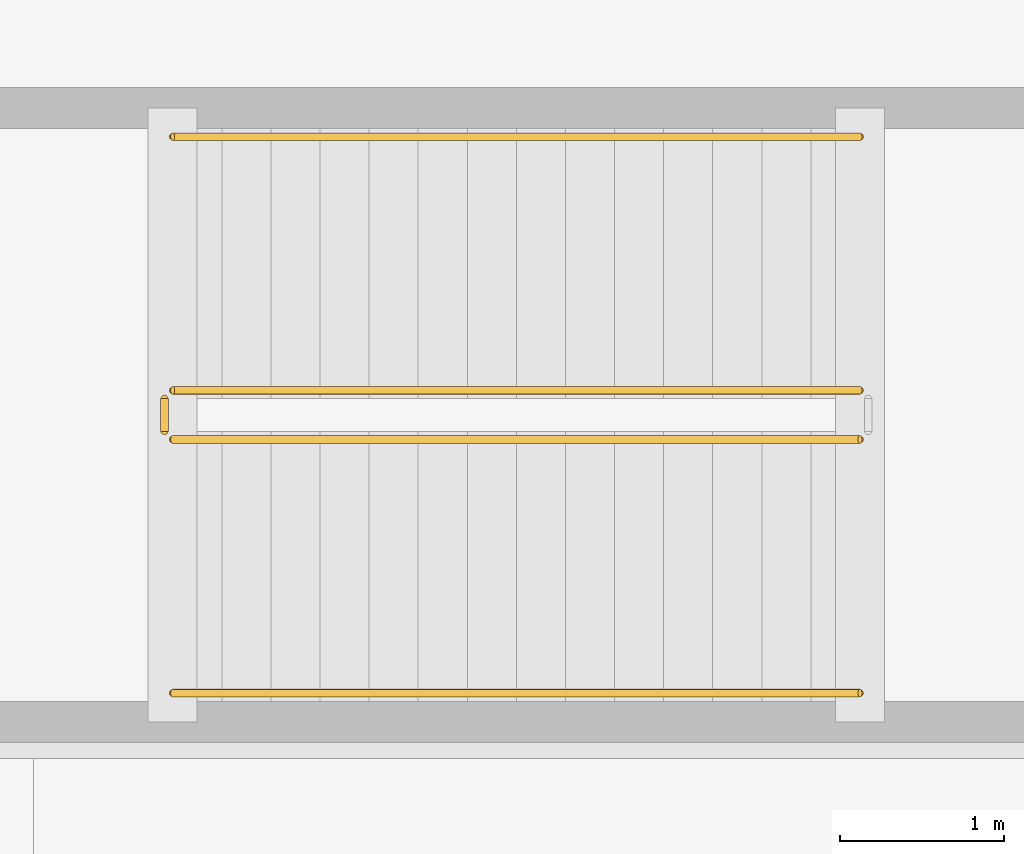
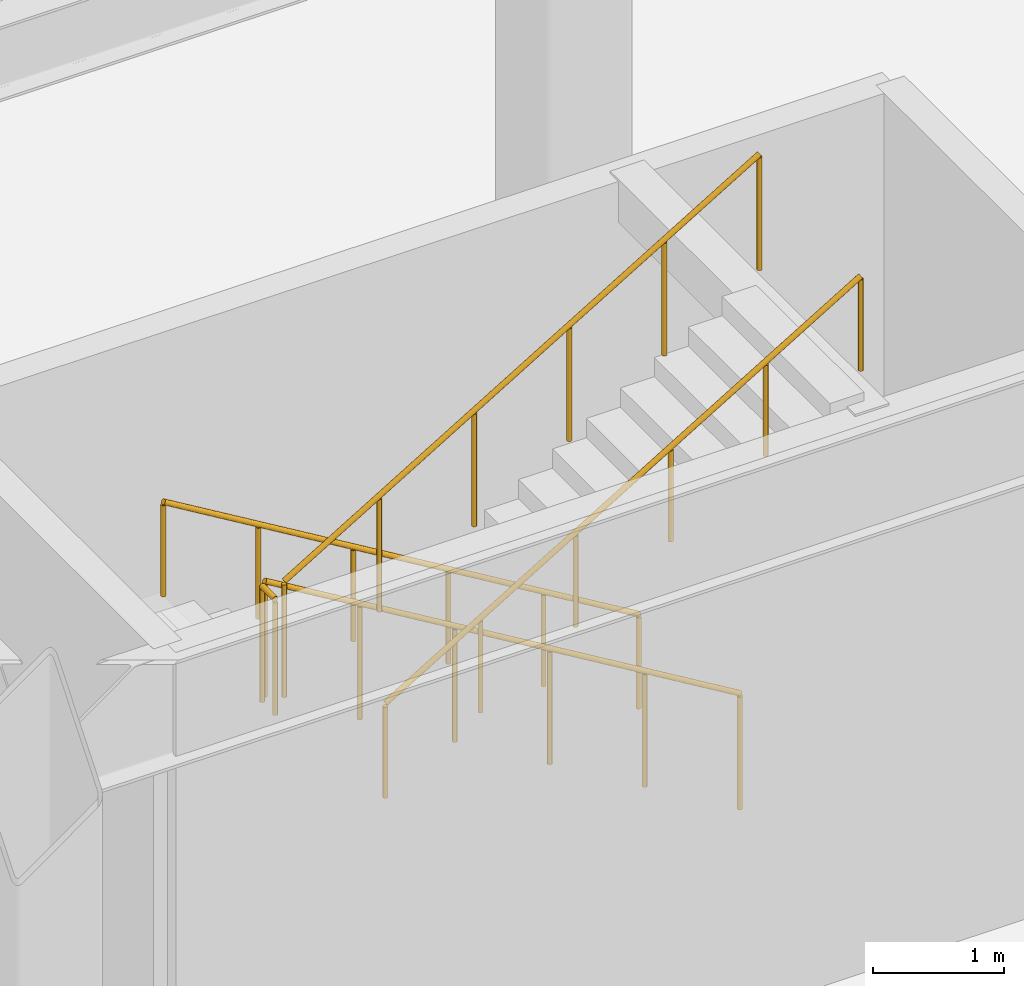
# One storey, part 43 of 55: 5 railings.
"""IFC4 building model written with IfcOpenShell, lengths in metres."""

from ifc_helpers import new_model, si_unit, direction, frame, origin, origin_2d, place, context, subcontext, project, spatial, circle, extrude, material, type_object, element, save


model = new_model("IFC4")

# Units and contexts
model_context = context("Model", 3, precision=1e-05, world=origin(), true_north=direction((0.0, 1.0)))
body_context = subcontext(model_context, "Body", "Model", "MODEL_VIEW")
ifc_project = project(units=[si_unit("LENGTHUNIT", "METRE"), si_unit("AREAUNIT", "SQUARE_METRE"), si_unit("VOLUMEUNIT", "CUBIC_METRE"), si_unit("PLANEANGLEUNIT", "RADIAN"), si_unit("MASSUNIT", "GRAM", prefix="KILO")], contexts=[model_context])

# Site, building, storey
site_placement = place(None, origin())
site = spatial("IfcSite", under=ifc_project, at=site_placement, CompositionType="ELEMENT")
building_placement = place(site_placement, origin())
building = spatial("IfcBuilding", under=site, at=building_placement, Name="Kazehara Bluff Congress Hotel", CompositionType="ELEMENT")
storey_placement = place(building_placement, frame((0.0, 0.0, -5.39990234375)))
storey = spatial("IfcBuildingStorey", under=building, at=storey_placement, Name="B1", CompositionType="ELEMENT", Elevation=-5.39990234375)

# Railings
ifc_material_1 = material(Name="Brushed stainless steel", Category="steel")
railing_type_1 = type_object("IfcRailingType", Name="TP-GRD-INT", PredefinedType="GUARDRAIL", material=ifc_material_1)
railing_1_placement = place(storey_placement, frame((65.800048828125, 18.10009765625, 0.179931640625)))
element("IfcRailing", 1, at=railing_1_placement, inside=storey, type_object=railing_type_1, Name="B1 ST-08 stair guard 1", PredefinedType="GUARDRAIL", context=body_context, shape_type="SweptSolid", body=[
    extrude(circle(Radius=0.02392578125, at=origin_2d()), frame((0.0, 0.0, 1.076171875), z_axis=(-0.857488527567, 0.0, 0.514503085598), x_axis=(0.0, -1.0, 0.0)), (0.0, 0.0, 1.0), 4.89794921875),
    extrude(circle(Radius=0.02099609375, at=origin_2d()), origin(), (0.0, 0.0, 1.0), 1.052001953125),
    extrude(circle(Radius=0.02099609375, at=origin_2d()), frame((-0.840087890625, 0.0, 0.50390625)), (0.0, 0.0, 1.0), 1.052001953125),
    extrude(circle(Radius=0.02099609375, at=origin_2d()), frame((-1.679931640625, 0.0, 1.008056640625)), (0.0, 0.0, 1.0), 1.052001953125),
    extrude(circle(Radius=0.02099609375, at=origin_2d()), frame((-2.52001953125, 0.0, 1.511962890625)), (0.0, 0.0, 1.0), 1.052001953125),
    extrude(circle(Radius=0.02099609375, at=origin_2d()), frame((-3.35986328125, 0.0, 2.01611328125)), (0.0, 0.0, 1.0), 1.052001953125),
    extrude(circle(Radius=0.02099609375, at=origin_2d()), frame((-4.199951171875, 0.0, 2.52001953125)), (0.0, 0.0, 1.0), 1.052001953125),
])
railing_2_placement = place(storey_placement, frame((61.550048828125, 18.050048828125, 2.699951171875)))
element("IfcRailing", 2, at=railing_2_placement, inside=storey, type_object=railing_type_1, Name="B1 ST-08 stair guard 2", PredefinedType="GUARDRAIL", context=body_context, shape_type="SweptSolid", body=[
    extrude(circle(Radius=0.02392578125, at=origin_2d()), frame((0.0, 0.0, 1.076171875), z_axis=(0.0, -1.0, 0.0), x_axis=(1.0, 0.0, 0.0)), (0.0, 0.0, 1.0), 0.199951171875),
    extrude(circle(Radius=0.02099609375, at=origin_2d()), origin(), (0.0, 0.0, 1.0), 1.052001953125),
    extrude(circle(Radius=0.02099609375, at=origin_2d()), frame((0.0, -0.199951171875, 0.0)), (0.0, 0.0, 1.0), 1.052001953125),
])
railing_3_placement = place(storey_placement, frame((61.60009765625, 17.800048828125, 2.8798828125)))
element("IfcRailing", 3, at=railing_3_placement, inside=storey, type_object=railing_type_1, Name="B1 ST-08 stair guard 3", PredefinedType="GUARDRAIL", context=body_context, shape_type="SweptSolid", body=[
    extrude(circle(Radius=0.02392578125, at=origin_2d()), frame((0.0, 0.0, 1.076171875), z_axis=(0.857488527567, 0.0, 0.514503085598), x_axis=(0.0, 1.0, 0.0)), (0.0, 0.0, 1.0), 4.89794921875),
    extrude(circle(Radius=0.02099609375, at=origin_2d()), origin(), (0.0, 0.0, 1.0), 1.052001953125),
    extrude(circle(Radius=0.02099609375, at=origin_2d()), frame((0.840087890625, 0.0, 0.50390625)), (0.0, 0.0, 1.0), 1.052001953125),
    extrude(circle(Radius=0.02099609375, at=origin_2d()), frame((1.679931640625, 0.0, 1.008056640625)), (0.0, 0.0, 1.0), 1.052001953125),
    extrude(circle(Radius=0.02099609375, at=origin_2d()), frame((2.52001953125, 0.0, 1.511962890625)), (0.0, 0.0, 1.0), 1.052001953125),
    extrude(circle(Radius=0.02099609375, at=origin_2d()), frame((3.35986328125, 0.0, 2.01611328125)), (0.0, 0.0, 1.0), 1.052001953125),
    extrude(circle(Radius=0.02099609375, at=origin_2d()), frame((4.199951171875, 0.0, 2.52001953125)), (0.0, 0.0, 1.0), 1.052001953125),
])
ifc_material_2 = material(Name="Brushed stainless steel", Category="steel")
railing_type_2 = type_object("IfcRailingType", Name="TP-HR-INT", PredefinedType="HANDRAIL", material=ifc_material_2)
railing_4_placement = place(storey_placement, frame((65.800048828125, 19.64990234375, 0.179931640625)))
element("IfcRailing", 4, at=railing_4_placement, inside=storey, type_object=railing_type_2, Name="B1 ST-08 stair handrail 1", PredefinedType="HANDRAIL", context=body_context, shape_type="SweptSolid", body=[
    extrude(circle(Radius=0.02392578125, at=origin_2d()), frame((0.0, 0.0, 0.8759765625), z_axis=(-0.857488527567, 0.0, 0.514503085598), x_axis=(0.0, -1.0, 0.0)), (0.0, 0.0, 1.0), 4.89794921875),
    extrude(circle(Radius=0.02099609375, at=origin_2d()), origin(), (0.0, 0.0, 1.0), 0.851806640625),
    extrude(circle(Radius=0.02099609375, at=origin_2d()), frame((-0.840087890625, 0.0, 0.50390625)), (0.0, 0.0, 1.0), 0.851806640625),
    extrude(circle(Radius=0.02099609375, at=origin_2d()), frame((-1.679931640625, 0.0, 1.008056640625)), (0.0, 0.0, 1.0), 0.851806640625),
    extrude(circle(Radius=0.02099609375, at=origin_2d()), frame((-2.52001953125, 0.0, 1.511962890625)), (0.0, 0.0, 1.0), 0.851806640625),
    extrude(circle(Radius=0.02099609375, at=origin_2d()), frame((-3.35986328125, 0.0, 2.01611328125)), (0.0, 0.0, 1.0), 0.851806640625),
    extrude(circle(Radius=0.02099609375, at=origin_2d()), frame((-4.199951171875, 0.0, 2.52001953125)), (0.0, 0.0, 1.0), 0.851806640625),
])
railing_5_placement = place(storey_placement, frame((61.60009765625, 16.25, 2.8798828125)))
element("IfcRailing", 5, at=railing_5_placement, inside=storey, type_object=railing_type_2, Name="B1 ST-08 stair handrail 2", PredefinedType="HANDRAIL", context=body_context, shape_type="SweptSolid", body=[
    extrude(circle(Radius=0.02392578125, at=origin_2d()), frame((0.0, 0.0, 0.8759765625), z_axis=(0.857488527567, 0.0, 0.514503085598), x_axis=(0.0, 1.0, 0.0)), (0.0, 0.0, 1.0), 4.89794921875),
    extrude(circle(Radius=0.02099609375, at=origin_2d()), origin(), (0.0, 0.0, 1.0), 0.851806640625),
    extrude(circle(Radius=0.02099609375, at=origin_2d()), frame((0.840087890625, 0.0, 0.50390625)), (0.0, 0.0, 1.0), 0.851806640625),
    extrude(circle(Radius=0.02099609375, at=origin_2d()), frame((1.679931640625, 0.0, 1.008056640625)), (0.0, 0.0, 1.0), 0.851806640625),
    extrude(circle(Radius=0.02099609375, at=origin_2d()), frame((2.52001953125, 0.0, 1.511962890625)), (0.0, 0.0, 1.0), 0.851806640625),
    extrude(circle(Radius=0.02099609375, at=origin_2d()), frame((3.35986328125, 0.0, 2.01611328125)), (0.0, 0.0, 1.0), 0.851806640625),
    extrude(circle(Radius=0.02099609375, at=origin_2d()), frame((4.199951171875, 0.0, 2.52001953125)), (0.0, 0.0, 1.0), 0.851806640625),
])

save(model, "model.ifc")
